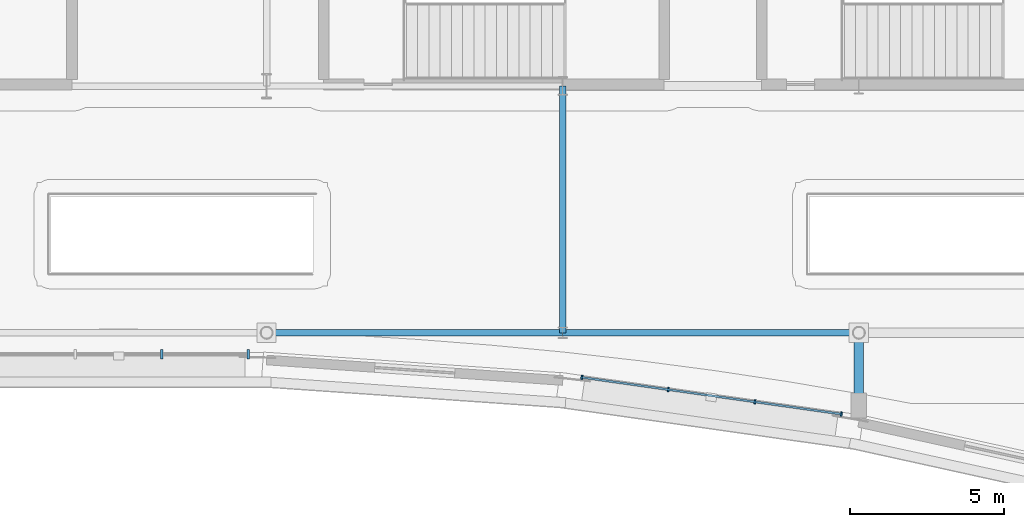
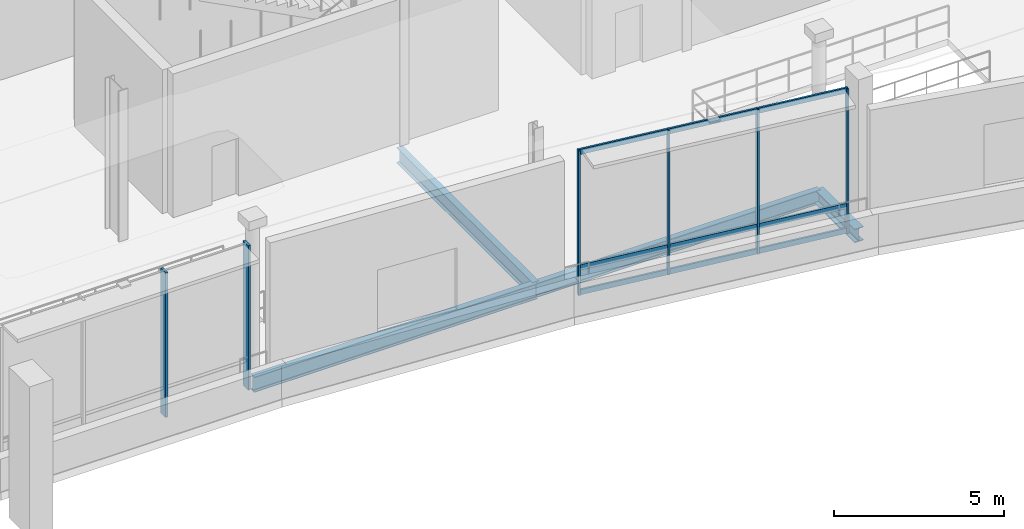
# One storey, part 37 of 129: 9 members, 4 beams, 2 elements without a shape of their own.
"""IFC4 building model written with IfcOpenShell, lengths in metres."""

from ifc_helpers import new_model, si_unit, direction, frame, origin, origin_2d, place, context, subcontext, project, spatial, rectangle, i_section, extrude, material, material_profile, profile_set, type_object, element, aggregate, save


model = new_model("IFC4")

# Units and contexts
model_context = context("Model", 3, precision=1e-05, world=origin(), true_north=direction((0.0, 1.0)))
body_context = subcontext(model_context, "Body", "Model", "MODEL_VIEW")
ifc_project = project(units=[si_unit("LENGTHUNIT", "METRE"), si_unit("AREAUNIT", "SQUARE_METRE"), si_unit("VOLUMEUNIT", "CUBIC_METRE"), si_unit("PLANEANGLEUNIT", "RADIAN"), si_unit("MASSUNIT", "GRAM", prefix="KILO")], contexts=[model_context])

# Site, building, storey
site_placement = place(None, origin())
site = spatial("IfcSite", under=ifc_project, at=site_placement, CompositionType="ELEMENT")
building_placement = place(site_placement, origin())
building = spatial("IfcBuilding", under=site, at=building_placement, Name="Danafjord Basin Convention Centre", CompositionType="ELEMENT")
storey_placement = place(building_placement, frame((0.0, 0.0, 6.0)))
storey = spatial("IfcBuildingStorey", under=building, at=storey_placement, Name="L01", CompositionType="ELEMENT", Elevation=6.0)

# Beams
ifc_material_1 = material(Name="Steel S355", Category="steel")
ifc_material_profile_1 = material_profile(ifc_material_1, i_section(OverallWidth=0.300048828125, OverallDepth=0.489990234375, WebThickness=0.011962890625, FlangeThickness=0.02294921875, FilletRadius=0.027099609375, at=origin_2d()), Name="HEA 500")
ifc_profile_set_1 = profile_set([ifc_material_profile_1], Name="Steel S355")
beam_type_1 = type_object("IfcBeamType", Name="BEAM-BM-HEA500", PredefinedType="BEAM", material=ifc_profile_set_1)
beam_1_placement = place(storey_placement, frame((86.39990234375, 5.64306640625, -0.47509765625), z_axis=(0.0, 1.0, 0.0), x_axis=(-1.0, 0.0, 0.0)))
element("IfcBeam", 1, at=beam_1_placement, inside=storey, type_object=beam_type_1, Name="L01 radial harbour arc girder", PredefinedType="BEAM", context=body_context, shape_type="SweptSolid", body=[
    extrude(i_section(OverallWidth=0.300048828125, OverallDepth=0.489990234375, WebThickness=0.011962890625, FlangeThickness=0.02294921875, FilletRadius=0.027099609375, at=origin_2d()), origin(), (0.0, 0.0, 1.0), 2.35693359375),
])
ifc_material_profile_2 = material_profile(ifc_material_1, i_section(OverallWidth=0.199951171875, OverallDepth=0.5, WebThickness=0.01025390625, FlangeThickness=0.01611328125, FilletRadius=0.02099609375, at=origin_2d()), Name="IPE 500")
ifc_profile_set_2 = profile_set([ifc_material_profile_2], Name="Steel S355")
beam_type_2 = type_object("IfcBeamType", Name="BEAM-BM-IPE500", PredefinedType="BEAM", material=ifc_profile_set_2)
beam_2_placement = place(storey_placement, frame((76.800048828125, 8.0, -0.47998046875), z_axis=(1.0, 0.0, 0.0), x_axis=(0.0, 1.0, 0.0)))
element("IfcBeam", 2, at=beam_2_placement, inside=storey, type_object=beam_type_2, Name="L01 girder BM-IPE500", PredefinedType="BEAM", context=body_context, shape_type="SweptSolid", body=[
    extrude(i_section(OverallWidth=0.199951171875, OverallDepth=0.5, WebThickness=0.01025390625, FlangeThickness=0.01611328125, FilletRadius=0.02099609375, at=origin_2d()), origin(), (0.0, 0.0, 1.0), 9.599853515625),
])
ifc_material_profile_3 = material_profile(ifc_material_1, i_section(OverallWidth=0.2099609375, OverallDepth=0.550048828125, WebThickness=0.010986328125, FlangeThickness=0.01708984375, FilletRadius=0.02392578125, at=origin_2d()), Name="IPE 550")
ifc_profile_set_3 = profile_set([ifc_material_profile_3], Name="Steel S355")
beam_type_3 = type_object("IfcBeamType", Name="BEAM-BM-IPE550", PredefinedType="BEAM", material=ifc_profile_set_3)
beam_3_placement = place(storey_placement, frame((67.199951171875, 8.0, -0.5048828125), z_axis=(1.0, 0.0, 0.0), x_axis=(0.0, 1.0, 0.0)))
element("IfcBeam", 3, at=beam_3_placement, inside=storey, type_object=beam_type_3, Name="L01 girder BM-IPE550", PredefinedType="BEAM", context=body_context, shape_type="SweptSolid", body=[
    extrude(i_section(OverallWidth=0.2099609375, OverallDepth=0.550048828125, WebThickness=0.010986328125, FlangeThickness=0.01708984375, FilletRadius=0.02392578125, at=origin_2d()), origin(), (0.0, 0.0, 1.0), 9.60009765625),
])
beam_4_placement = place(storey_placement, frame((76.800048828125, 8.0, -0.5048828125), z_axis=(0.0, 1.0, 0.0), x_axis=(-1.0, 0.0, 0.0)))
element("IfcBeam", 4, at=beam_4_placement, inside=storey, type_object=beam_type_3, Name="L01 transverse girder BM-IPE550", PredefinedType="BEAM", context=body_context, shape_type="SweptSolid", body=[
    extrude(i_section(OverallWidth=0.2099609375, OverallDepth=0.550048828125, WebThickness=0.010986328125, FlangeThickness=0.01708984375, FilletRadius=0.02392578125, at=origin_2d()), origin(), (0.0, 0.0, 1.0), 8.0),
])

# Curtain wall, members
ifc_material_2 = material(Name="Anodised aluminium and triple glazing", Category="aluminium")
curtain_wall_type = type_object("IfcCurtainWallType", Name="CW-CW-HARB", PredefinedType="NOTDEFINED", material=ifc_material_2)
curtain_wall_1_placement = place(storey_placement, origin())
curtain_wall_1 = element("IfcCurtainWall", 5, at=curtain_wall_1_placement, inside=storey, type_object=curtain_wall_type, Name="L01 CW-HARB unitised curtain wall bay 20", PredefinedType="NOTDEFINED")
ifc_material_3 = material(Name="Anodised aluminium EN AW-6060", Category="aluminium")
ifc_material_profile_4 = material_profile(ifc_material_3, rectangle(XDim=0.06005859375, YDim=0.139892578125, at=origin_2d()), Name="MULL 60x140")
ifc_profile_set_4 = profile_set([ifc_material_profile_4], Name="Anodised aluminium EN AW-6060")
member_type_1 = type_object("IfcMemberType", Name="MEM-ML-140", PredefinedType="MULLION", material=ifc_profile_set_4)
member_1_placement = place(storey_placement, frame((77.42041015625, 6.554443359375, -0.02490234375), z_axis=(0.0, 0.0, 1.0), x_axis=(0.990128157327, -0.140165017276, 0.0)))
member_1 = element("IfcMember", 6, at=member_1_placement, type_object=member_type_1, Name="CW-L01-020 mullion 1", PredefinedType="MULLION", context=body_context, shape_type="SweptSolid", body=[
    extrude(rectangle(XDim=0.06005859375, YDim=0.139892578125, at=origin_2d()), origin(), (0.0, 0.0, 1.0), 5.184814453125),
])
member_2_placement = place(storey_placement, frame((80.224365234375, 6.157470703125, -0.02490234375), z_axis=(0.0, 0.0, 1.0), x_axis=(0.990128157327, -0.140165017276, 0.0)))
member_2 = element("IfcMember", 7, at=member_2_placement, type_object=member_type_1, Name="CW-L01-020 mullion 2", PredefinedType="MULLION", context=body_context, shape_type="SweptSolid", body=[
    extrude(rectangle(XDim=0.06005859375, YDim=0.139892578125, at=origin_2d()), origin(), (0.0, 0.0, 1.0), 5.184814453125),
])
member_3_placement = place(storey_placement, frame((83.0283203125, 5.760498046875, -0.02490234375), z_axis=(0.0, 0.0, 1.0), x_axis=(0.990128157327, -0.140165017276, 0.0)))
member_3 = element("IfcMember", 8, at=member_3_placement, type_object=member_type_1, Name="CW-L01-020 mullion 3", PredefinedType="MULLION", context=body_context, shape_type="SweptSolid", body=[
    extrude(rectangle(XDim=0.06005859375, YDim=0.139892578125, at=origin_2d()), origin(), (0.0, 0.0, 1.0), 5.184814453125),
])
member_4_placement = place(storey_placement, frame((85.832275390625, 5.363525390625, -0.02490234375), z_axis=(0.0, 0.0, 1.0), x_axis=(0.990128157327, -0.140165017276, 0.0)))
member_4 = element("IfcMember", 9, at=member_4_placement, type_object=member_type_1, Name="CW-L01-020 mullion 4", PredefinedType="MULLION", context=body_context, shape_type="SweptSolid", body=[
    extrude(rectangle(XDim=0.06005859375, YDim=0.139892578125, at=origin_2d()), origin(), (0.0, 0.0, 1.0), 5.184814453125),
])

curtain_wall_2_placement = place(storey_placement, origin())
curtain_wall_2 = element("IfcCurtainWall", 10, at=curtain_wall_2_placement, inside=storey, type_object=curtain_wall_type, Name="L01 CW-HARB unitised curtain wall bay 19", PredefinedType="NOTDEFINED")
ifc_material_profile_5 = material_profile(ifc_material_3, rectangle(XDim=0.080078125, YDim=0.300048828125, at=origin_2d()), Name="MULL 80x300")
ifc_profile_set_5 = profile_set([ifc_material_profile_5], Name="Anodised aluminium EN AW-6060")
member_type_2 = type_object("IfcMemberType", Name="MEM-ML-300", PredefinedType="MULLION", material=ifc_profile_set_5)
member_5_placement = place(storey_placement, frame((63.800048828125, 7.300048828125, -0.02490234375), z_axis=(0.0, 0.0, 1.0), x_axis=(1.0, 0.0, 0.0)))
member_5 = element("IfcMember", 11, at=member_5_placement, type_object=member_type_2, Name="CW-L01-019 mullion 3", PredefinedType="MULLION", context=body_context, shape_type="SweptSolid", body=[
    extrude(rectangle(XDim=0.080078125, YDim=0.300048828125, at=origin_2d()), origin(), (0.0, 0.0, 1.0), 5.184814453125),
])
member_6_placement = place(storey_placement, frame((66.60009765625, 7.300048828125, -0.02490234375), z_axis=(0.0, 0.0, 1.0), x_axis=(1.0, 0.0, 0.0)))
member_6 = element("IfcMember", 12, at=member_6_placement, type_object=member_type_2, Name="CW-L01-019 mullion 4", PredefinedType="MULLION", context=body_context, shape_type="SweptSolid", body=[
    extrude(rectangle(XDim=0.080078125, YDim=0.300048828125, at=origin_2d()), origin(), (0.0, 0.0, 1.0), 5.184814453125),
])
aggregate(curtain_wall_2, [member_5, member_6])

# Member
ifc_material_profile_6 = material_profile(ifc_material_3, rectangle(XDim=0.06494140625, YDim=0.18994140625, at=origin_2d()), Name="TRAN 65x190")
ifc_profile_set_6 = profile_set([ifc_material_profile_6], Name="Anodised aluminium EN AW-6060")
member_type_3 = type_object("IfcMemberType", Name="MEM-TR-190", PredefinedType="USERDEFINED", material=ifc_profile_set_6)
member_7_placement = place(storey_placement, frame((77.42041015625, 6.554443359375, 0.06005859375), z_axis=(0.990126306499, -0.140178090933, 0.0), x_axis=(0.140178090933, 0.990126306499, 0.0)))
member_7 = element("IfcMember", 13, at=member_7_placement, type_object=member_type_3, Name="CW-L01-020 transom 1", ObjectType="TRANSOM", PredefinedType="USERDEFINED", context=body_context, shape_type="SweptSolid", body=[
    extrude(rectangle(XDim=0.06494140625, YDim=0.18994140625, at=origin_2d()), origin(), (0.0, 0.0, 1.0), 8.495849609375),
])

member_8_placement = place(storey_placement, frame((77.42041015625, 6.554443359375, 0.949951171875), z_axis=(0.990126306499, -0.140178090933, 0.0), x_axis=(0.140178090933, 0.990126306499, 0.0)))
member_8 = element("IfcMember", 14, at=member_8_placement, type_object=member_type_3, Name="CW-L01-020 transom 2", ObjectType="TRANSOM", PredefinedType="USERDEFINED", context=body_context, shape_type="SweptSolid", body=[
    extrude(rectangle(XDim=0.06494140625, YDim=0.18994140625, at=origin_2d()), origin(), (0.0, 0.0, 1.0), 8.495849609375),
])

member_9_placement = place(storey_placement, frame((77.42041015625, 6.554443359375, 5.090087890625), z_axis=(0.990126306499, -0.140178090933, 0.0), x_axis=(0.140178090933, 0.990126306499, 0.0)))
member_9 = element("IfcMember", 15, at=member_9_placement, type_object=member_type_3, Name="CW-L01-020 transom 3", ObjectType="TRANSOM", PredefinedType="USERDEFINED", context=body_context, shape_type="SweptSolid", body=[
    extrude(rectangle(XDim=0.06494140625, YDim=0.18994140625, at=origin_2d()), origin(), (0.0, 0.0, 1.0), 8.495849609375),
])

aggregate(curtain_wall_1, [member_1, member_2, member_3, member_4, member_7, member_8, member_9])

save(model, "model.ifc")
